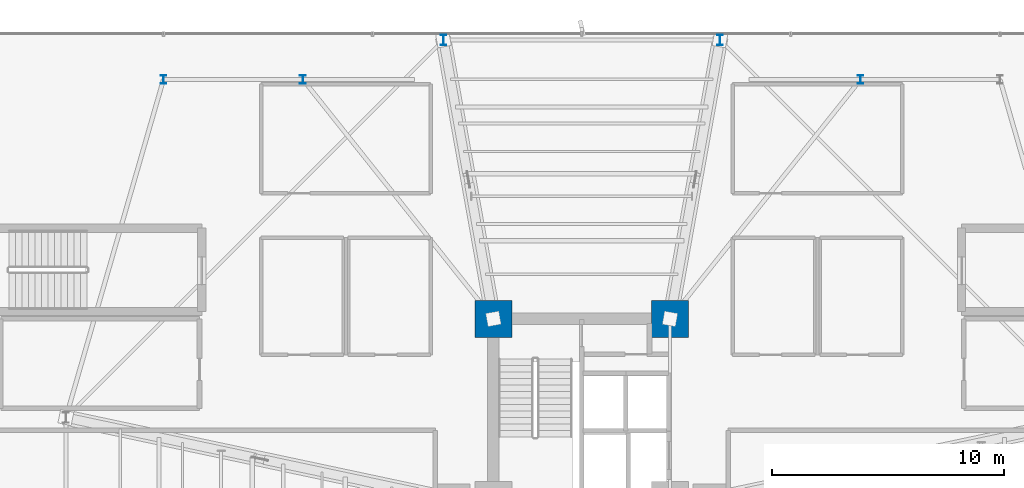
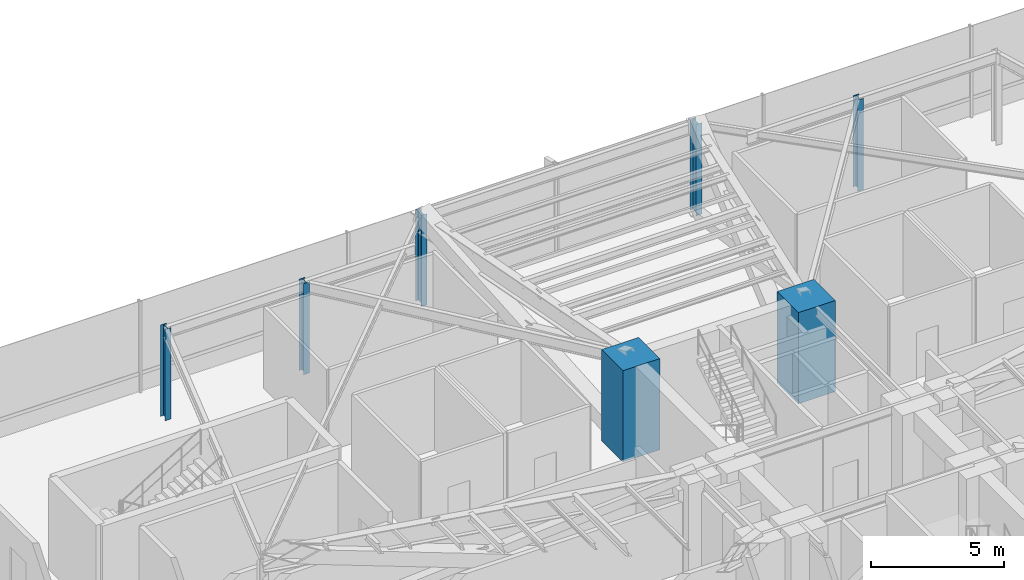
# One storey, part 3 of 32: 7 columns.
"""IFC4 building model written with IfcOpenShell, lengths in metres."""

from ifc_helpers import new_model, si_unit, direction, frame, origin, origin_2d, place, context, subcontext, project, spatial, rectangle, i_section, extrude, source, transform, mapped, material, material_profile, profile_set, type_object, element, save


model = new_model("IFC4")

# Units and contexts
model_context = context("Model", 3, precision=1e-05, world=origin(), true_north=direction((0.0, 1.0)))
body_context = subcontext(model_context, "Body", "Model", "MODEL_VIEW")
ifc_project = project(units=[si_unit("LENGTHUNIT", "METRE"), si_unit("AREAUNIT", "SQUARE_METRE"), si_unit("VOLUMEUNIT", "CUBIC_METRE"), si_unit("PLANEANGLEUNIT", "RADIAN"), si_unit("MASSUNIT", "GRAM", prefix="KILO")], contexts=[model_context])

# Site, building, storey
site_placement = place(None, origin())
site = spatial("IfcSite", under=ifc_project, at=site_placement, CompositionType="ELEMENT")
building_placement = place(site_placement, origin())
building = spatial("IfcBuilding", under=site, at=building_placement, Name="Sahyath Konkavel Grand Hotel", CompositionType="ELEMENT")
storey_placement = place(building_placement, frame((0.0, 0.0, 14.10009765625)))
storey = spatial("IfcBuildingStorey", under=building, at=storey_placement, Name="L03", CompositionType="ELEMENT", Elevation=14.10009765625)

# Columns
ifc_material_1 = material(Name="Concrete C70/85", Category="concrete")
ifc_material_profile_1 = material_profile(ifc_material_1, rectangle(XDim=1.60009765625, YDim=1.60009765625, at=origin_2d()), Name="RC 1600x1600")
ifc_profile_set_1 = profile_set([ifc_material_profile_1], Name="Concrete C70/85")
column_type_1 = type_object("IfcColumnType", Name="COL-RC1600", PredefinedType="COLUMN", material=ifc_profile_set_1)
shared_shape_1 = source(origin(), body_context, "Body", "SweptSolid", [
    extrude(rectangle(XDim=1.60009765625, YDim=1.60009765625, at=origin_2d()), origin(), (0.0, 0.0, 1.0), 4.179931640625),
])
for number, where, z_axis, x_axis, name in (
    (1, (-3.800048828125, 10.199951171875, 0.0), (0.0, 0.0, 1.0), (1.0, 0.0, 0.0), "L03 Core Boundary Column NC-NW"),
    (2, (3.800048828125, 10.199951171875, 0.0), (0.0, 0.0, 1.0), (1.0, 0.0, 0.0), "L03 Core Boundary Column NC-NE"),
):
    element("IfcColumn", number, at=place(storey_placement, frame(where, z_axis=z_axis, x_axis=x_axis)), inside=storey, type_object=column_type_1, Name=name, PredefinedType="COLUMN", context=body_context, shape_type="MappedRepresentation", body=[
        mapped(shared_shape_1, transform((0.0, 0.0, 0.0), scale=1.0)),
    ])
ifc_material_2 = material(Name="Steel E450", Category="steel")
ifc_material_profile_2 = material_profile(ifc_material_2, i_section(OverallWidth=0.25, OverallDepth=0.449951171875, WebThickness=0.013671875, FlangeThickness=0.013671875, FilletRadius=0.014892578125, at=origin_2d()), Name="ISHB 450")
ifc_profile_set_2 = profile_set([ifc_material_profile_2], Name="Steel E450")
column_type_2 = type_object("IfcColumnType", Name="COL-ISHB450", PredefinedType="COLUMN", material=ifc_profile_set_2)
shared_shape_2 = source(origin(), body_context, "Body", "SweptSolid", [
    extrude(i_section(OverallWidth=0.25, OverallDepth=0.449951171875, WebThickness=0.013671875, FlangeThickness=0.013671875, FilletRadius=0.014892578125, at=origin_2d()), origin(), (0.0, 0.0, 1.0), 4.179931640625),
])
for number, where, z_axis, x_axis, name in (
    (3, (5.949951171875, 22.199951171875, 0.0), (0.0, 0.0, 1.0), (1.0, 0.0, 0.0), "L03 Cruciform Wing Column WC-NA"),
    (4, (-5.949951171875, 22.199951171875, 0.0), (0.0, 0.0, 1.0), (1.0, 0.0, 0.0), "L03 Cruciform Wing Column WC-NB"),
):
    element("IfcColumn", number, at=place(storey_placement, frame(where, z_axis=z_axis, x_axis=x_axis)), inside=storey, type_object=column_type_2, Name=name, PredefinedType="COLUMN", context=body_context, shape_type="MappedRepresentation", body=[
        mapped(shared_shape_2, transform((0.0, 0.0, 0.0), scale=1.0)),
    ])
ifc_material_3 = material(Name="Steel E350", Category="steel")
ifc_material_profile_3 = material_profile(ifc_material_3, i_section(OverallWidth=0.25, OverallDepth=0.35009765625, WebThickness=0.01171875, FlangeThickness=0.01171875, FilletRadius=0.011962890625, at=origin_2d()), Name="ISHB 350")
ifc_profile_set_3 = profile_set([ifc_material_profile_3], Name="Steel E350")
column_type_3 = type_object("IfcColumnType", Name="COL-ISHB350", PredefinedType="COLUMN", material=ifc_profile_set_3)
shared_shape_3 = source(origin(), body_context, "Body", "SweptSolid", [
    extrude(i_section(OverallWidth=0.25, OverallDepth=0.35009765625, WebThickness=0.01171875, FlangeThickness=0.01171875, FilletRadius=0.011962890625, at=origin_2d()), origin(), (0.0, 0.0, 1.0), 4.179931640625),
])
for number, where, z_axis, x_axis, name in (
    (5, (-18.0, 20.5, 0.0), (0.0, 0.0, 1.0), (1.0, 0.0, 0.0), "L03 Sandstone Colonnade Pier CL-N1"),
    (6, (-12.0, 20.5, 0.0), (0.0, 0.0, 1.0), (1.0, 0.0, 0.0), "L03 Sandstone Colonnade Pier CL-N2"),
    (7, (12.0, 20.5, 0.0), (0.0, 0.0, 1.0), (1.0, 0.0, 0.0), "L03 Sandstone Colonnade Pier CL-N3"),
):
    element("IfcColumn", number, at=place(storey_placement, frame(where, z_axis=z_axis, x_axis=x_axis)), inside=storey, type_object=column_type_3, Name=name, PredefinedType="COLUMN", context=body_context, shape_type="MappedRepresentation", body=[
        mapped(shared_shape_3, transform((0.0, 0.0, 0.0), scale=1.0)),
    ])

save(model, "model.ifc")
